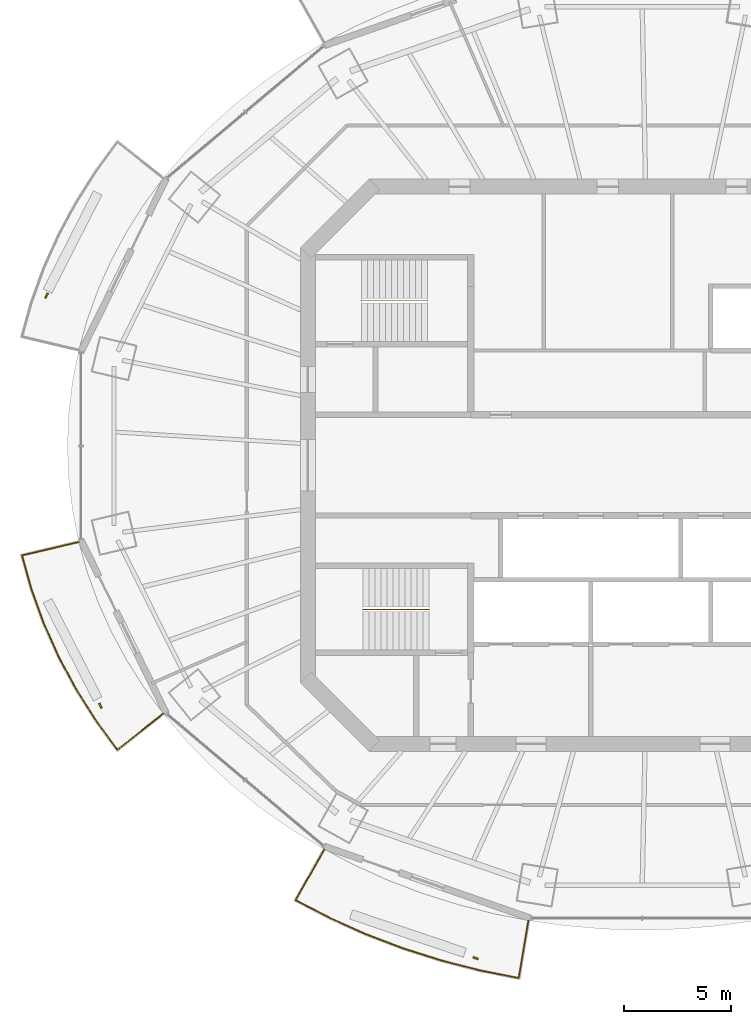
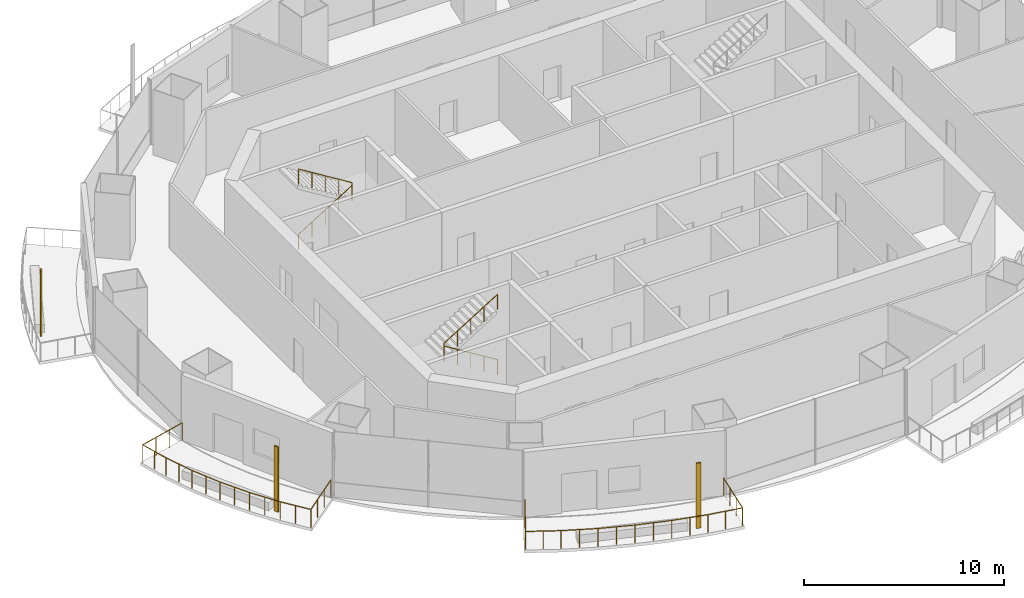
# One storey, part 12 of 16: 4 railings, 3 shading devices.
"""IFC4 building model written with IfcOpenShell, lengths in metres."""

import ifcopenshell
import ifcopenshell.guid

model = None  # the IFC model being written
_history = None  # IfcOwnerHistory: only IFC2X3 demands one
_inside = {}  # id of a spatial element -> (the spatial element, [elements in it])
_under = {}  # id of a project, library or spatial element -> (it, [spatial elements below it])
_declared = {}  # id of a project -> (the project, [libraries it declares])
_typed = {}  # id of a type object -> (the type object, [elements of that type])
_made_of = {}  # id of a material, layer set ... -> (it, [elements and type objects made of it])


def new_model(schema):
    """Start an empty IFC model of exactly this schema.

    Asked for "IFC4X3", IfcOpenShell would pick the latest addendum, in which some entities
    have other attributes; the version numbers below select the first issue.
    IFC2X3 requires an IfcOwnerHistory on every rooted entity: one is made here for all.
    """
    global model, _history
    if schema == "IFC4X3":
        model = ifcopenshell.file(schema_version=(4, 3, 0, 0))
    else:
        model = ifcopenshell.file(schema=schema)
    _inside.clear()
    _under.clear()
    _declared.clear()
    _typed.clear()
    _made_of.clear()
    _history = None
    if model.schema == "IFC2X3":
        org = make("IfcOrganization", Name="unknown")
        user = make(
            "IfcPersonAndOrganization",
            ThePerson=make("IfcPerson", FamilyName="unknown"),
            TheOrganization=org,
        )
        app = make(
            "IfcApplication",
            ApplicationDeveloper=org,
            Version="unknown",
            ApplicationFullName="unknown",
            ApplicationIdentifier="unknown",
        )
        _history = make(
            "IfcOwnerHistory",
            OwningUser=user,
            OwningApplication=app,
            ChangeAction="ADDED",
            CreationDate=0,
        )
    return model


def make(cls, **values):
    """One entity of the class cls with the attributes given. An attribute that is None is left unset."""
    return model.create_entity(
        cls, **{name: value for name, value in values.items() if value is not None}
    )


def rooted(cls, **values):
    """An entity with a GlobalId (a new one), such as an element, a storey or a relation."""
    return make(cls, GlobalId=ifcopenshell.guid.new(), OwnerHistory=_history, **values)


def si_unit(unit_type, name, prefix=None):
    """IfcSIUnit, for example si_unit("LENGTHUNIT", "METRE", prefix="MILLI")."""
    return make("IfcSIUnit", UnitType=unit_type, Prefix=prefix, Name=name)


def assignment(units):
    """IfcUnitAssignment: the units of a project."""
    return None if units is None else make("IfcUnitAssignment", Units=units)


def point(xyz):
    """IfcCartesianPoint."""
    return None if xyz is None else make("IfcCartesianPoint", Coordinates=xyz)


def direction(xyz):
    """IfcDirection."""
    return None if xyz is None else make("IfcDirection", DirectionRatios=xyz)


def frame(location, z_axis=None, x_axis=None):
    """IfcAxis2Placement3D, a coordinate frame: its origin and axes. An axis left out is left unset."""
    return make(
        "IfcAxis2Placement3D",
        Location=point(location),
        Axis=direction(z_axis),
        RefDirection=direction(x_axis),
    )


def frame_2d(location, x_axis=None):
    """IfcAxis2Placement2D, a coordinate frame in the plane: its origin and x axis."""
    return make(
        "IfcAxis2Placement2D", Location=point(location), RefDirection=direction(x_axis)
    )


def origin():
    """The frame at (0, 0, 0) with its axes left unset."""
    return frame((0.0, 0.0, 0.0))


def origin_2d():
    """The frame at (0, 0) in the plane with its x axis left unset."""
    return frame_2d((0.0, 0.0))


def place(relative_to, where):
    """IfcLocalPlacement: puts the frame where relative to a parent placement (None: the world)."""
    return make(
        "IfcLocalPlacement", PlacementRelTo=relative_to, RelativePlacement=where
    )


def context(
    kind, dimensions, precision=None, world=None, true_north=None, identifier=None
):
    """IfcGeometricRepresentationContext, for example the 3D "Model" context."""
    return make(
        "IfcGeometricRepresentationContext",
        ContextIdentifier=identifier,
        ContextType=kind,
        CoordinateSpaceDimension=dimensions,
        Precision=precision,
        WorldCoordinateSystem=world,
        TrueNorth=true_north,
    )


def subcontext(parent, identifier, kind, view, scale=None):
    """IfcGeometricRepresentationSubContext, for example "Body" below "Model"."""
    return make(
        "IfcGeometricRepresentationSubContext",
        ContextIdentifier=identifier,
        ContextType=kind,
        ParentContext=parent,
        TargetScale=scale,
        TargetView=view,
    )


def project(units=None, contexts=None):
    """IfcProject with its units and contexts."""
    return rooted(
        "IfcProject",
        Name="project",
        RepresentationContexts=contexts,
        UnitsInContext=assignment(units),
    )


def spatial(cls, under=None, at=None, **own):
    """A site, building, storey or space (cls), placed at a placement, below another one or the project."""
    s = rooted(cls, ObjectPlacement=at, **own)
    if under is not None:
        _under.setdefault(under.id(), (under, []))[1].append(s)
    return s


def profile(cls, at=None, kind="AREA", **sizes):
    """A parametric profile (cls). Its sizes go by their IFC names, for example OverallWidth=200.0."""
    return make(cls, ProfileType=kind, Position=at, **sizes)


def rectangle(**sizes):
    """IfcRectangleProfileDef."""
    return profile("IfcRectangleProfileDef", **sizes)


def circle(**sizes):
    """IfcCircleProfileDef."""
    return profile("IfcCircleProfileDef", **sizes)


def extrude(swept, where, along, depth):
    """IfcExtrudedAreaSolid: the profile swept, set in the frame where, extruded along a direction by depth."""
    return make(
        "IfcExtrudedAreaSolid",
        SweptArea=swept,
        Position=where,
        ExtrudedDirection=direction(along),
        Depth=depth,
    )


def shape(context_of_items, identifier, shape_type, items):
    """IfcShapeRepresentation: the items that make up one representation, for example the "Body"."""
    return make(
        "IfcShapeRepresentation",
        ContextOfItems=context_of_items,
        RepresentationIdentifier=identifier,
        RepresentationType=shape_type,
        Items=items,
    )


def material(Name=None, Category=None):
    """IfcMaterial."""
    return make("IfcMaterial", Name=Name, Category=Category)


def material_profile(
    of_material, cross_section, Name=None, Category=None, Priority=None
):
    """IfcMaterialProfile: a cross section and its material."""
    return make(
        "IfcMaterialProfile",
        Name=Name,
        Material=of_material,
        Profile=cross_section,
        Priority=Priority,
        Category=Category,
    )


def profile_set(profiles, Name=None, composite=None):
    """IfcMaterialProfileSet."""
    return make(
        "IfcMaterialProfileSet",
        Name=Name,
        MaterialProfiles=profiles,
        CompositeProfile=composite,
    )


def made_of(thing, what):
    """Note that an element or type object is made of a material, layer set ...; save() writes the relation."""
    if what is not None:
        _made_of.setdefault(what.id(), (what, []))[1].append(thing)
    return thing


def type_object(cls, material=None, **own):
    """A type object (cls), such as IfcWallType, which elements share."""
    return made_of(rooted(cls, **own), material)


def element(
    cls,
    number,
    at=None,
    inside=None,
    cuts=None,
    type_object=None,
    material=None,
    context=None,
    identifier="Body",
    shape_type=None,
    held_by="IfcProductDefinitionShape",
    body=None,
    shapes=None,
    **own,
):
    """One element of the class cls, such as IfcWall. Its Tag is "e" and its number.

    at: its placement. inside: the storey or other place that contains it. cuts: it is an
    opening in that element (IfcRelVoidsElement). A single representation is given by context,
    identifier, shape_type and body (its items); several are given by shapes. held_by: the class
    of the entity that holds the representations. save() writes the other relations.
    """
    e = rooted(cls, Tag="e%d" % number, ObjectPlacement=at, **own)
    if body is not None:
        shapes = [shape(context, identifier, shape_type, body)]
    if shapes is not None:
        e.Representation = make(held_by, Representations=shapes)
    if inside is not None:
        _inside.setdefault(inside.id(), (inside, []))[1].append(e)
    if cuts is not None:
        rooted(
            "IfcRelVoidsElement", RelatingBuildingElement=cuts, RelatedOpeningElement=e
        )
    if type_object is not None:
        _typed.setdefault(type_object.id(), (type_object, []))[1].append(e)
    return made_of(e, material)


def aggregate(whole, parts):
    """IfcRelAggregates: a whole, such as a stair, and the parts it consists of."""
    return rooted("IfcRelAggregates", RelatingObject=whole, RelatedObjects=parts)


def save(model, path):
    """Write the relations noted so far, then the file.

    IfcRelAggregates (storeys below a building ...), IfcRelContainedInSpatialStructure (elements
    in a storey), IfcRelDefinesByType, IfcRelAssociatesMaterial and IfcRelDeclares: one each for
    every whole, place, type object, material and project.
    """
    for whole, parts in _under.values():
        aggregate(whole, parts)
    for where, things in _inside.values():
        rooted(
            "IfcRelContainedInSpatialStructure",
            RelatedElements=things,
            RelatingStructure=where,
        )
    for kind, things in _typed.values():
        rooted("IfcRelDefinesByType", RelatedObjects=things, RelatingType=kind)
    for what, things in _made_of.values():
        rooted("IfcRelAssociatesMaterial", RelatedObjects=things, RelatingMaterial=what)
    for by, libraries in _declared.values():
        rooted("IfcRelDeclares", RelatingContext=by, RelatedDefinitions=libraries)
    model.write(path)


model = new_model("IFC4")

# Units and contexts
model_context = context("Model", 3, precision=1e-05, world=origin(), true_north=direction((0.0, 1.0)))
body_context = subcontext(model_context, "Body", "Model", "MODEL_VIEW")
ifc_project = project(units=[si_unit("LENGTHUNIT", "METRE"), si_unit("AREAUNIT", "SQUARE_METRE"), si_unit("VOLUMEUNIT", "CUBIC_METRE"), si_unit("PLANEANGLEUNIT", "RADIAN"), si_unit("MASSUNIT", "GRAM", prefix="KILO")], contexts=[model_context])

# Site, building, storey
site_placement = place(None, origin())
site = spatial("IfcSite", under=ifc_project, at=site_placement, CompositionType="ELEMENT")
building_placement = place(site_placement, origin())
building = spatial("IfcBuilding", under=site, at=building_placement, Name="Marenthal Gate Tower", CompositionType="ELEMENT")
storey_placement = place(building_placement, frame((0.0, 0.0, 355.050048828125)))
storey = spatial("IfcBuildingStorey", under=building, at=storey_placement, Name="L80", CompositionType="ELEMENT", Elevation=355.050048828125)

# Railings
ifc_material_1 = material(Name="Stainless steel", Category="steel")
railing_type_1 = type_object("IfcRailingType", Name="Balcony guard 1100", PredefinedType="GUARDRAIL", material=ifc_material_1)
railing_1_placement = place(storey_placement, frame((-22.755615234375, -11.591064453125, 0.0)))
element("IfcRailing", 1, at=railing_1_placement, inside=storey, type_object=railing_type_1, Name="Balcony guard L80 bay 9", PredefinedType="GUARDRAIL", context=body_context, shape_type="SweptSolid", body=[
    extrude(circle(Radius=0.02392578125, at=origin_2d()), frame((0.0, 0.0, 1.076171875), z_axis=(-0.78365684055, -0.621019548707, -0.014719931491), x_axis=(0.621086839778, -0.783741754314, 0.0)), (0.0, 0.0, 1.0), 2.719970703125),
    extrude(circle(Radius=0.02392578125, at=origin_2d()), frame((-2.131591796875, -1.689208984375, 1.0361328125), z_axis=(-0.59265548199, 0.805456069359, 0.0), x_axis=(-0.805456069359, -0.59265548199, 0.0)), (0.0, 0.0, 1.0), 1.67041015625),
    extrude(circle(Radius=0.02392578125, at=origin_2d()), frame((-3.12158203125, -0.34375, 1.0361328125), z_axis=(-0.535757035565, 0.84437219213, 0.0), x_axis=(-0.84437219213, -0.535757035565, 0.0)), (0.0, 0.0, 1.0), 1.738037109375),
    extrude(circle(Radius=0.02392578125, at=origin_2d()), frame((-4.052734375, 1.123779296875, 1.0361328125), z_axis=(-0.473593920811, 0.880743321389, 0.0), x_axis=(-0.880743321389, -0.473593920811, 0.0)), (0.0, 0.0, 1.0), 1.72705078125),
    extrude(circle(Radius=0.02392578125, at=origin_2d()), frame((-4.87060546875, 2.644775390625, 1.0361328125), z_axis=(-0.407879524978, 0.91303575675, 0.0), x_axis=(-0.91303575675, -0.407879524978, 0.0)), (0.0, 0.0, 1.0), 1.716552734375),
    extrude(circle(Radius=0.02392578125, at=origin_2d()), frame((-5.57080078125, 4.212158203125, 1.0361328125), z_axis=(-0.338906739097, 0.940819973318, 0.0), x_axis=(-0.940819973318, -0.338906739097, 0.0)), (0.0, 0.0, 1.0), 1.7080078125),
    extrude(circle(Radius=0.02392578125, at=origin_2d()), frame((-6.149658203125, 5.819091796875, 1.0361328125), z_axis=(-0.268568220157, 0.963260666238, 0.0), x_axis=(-0.963260666238, -0.268568220157, 0.0)), (0.0, 0.0, 1.0), 1.620849609375),
    extrude(circle(Radius=0.02392578125, at=origin_2d()), frame((-6.5849609375, 7.38037109375, 1.0361328125), z_axis=(0.973182110168, 0.229564721303, 0.014717988387), x_axis=(-0.229589589404, 0.973287532252, 0.0)), (0.0, 0.0, 1.0), 2.720458984375),
    extrude(circle(Radius=0.02099609375, at=origin_2d()), origin(), (0.0, 0.0, 1.0), 1.052001953125),
    extrude(circle(Radius=0.02099609375, at=origin_2d()), frame((-0.71044921875, -0.56298828125, -0.013427734375)), (0.0, 0.0, 1.0), 1.052001953125),
    extrude(circle(Radius=0.02099609375, at=origin_2d()), frame((-1.421142578125, -1.126220703125, -0.026611328125)), (0.0, 0.0, 1.0), 1.052001953125),
    extrude(circle(Radius=0.02099609375, at=origin_2d()), frame((-2.131591796875, -1.689208984375, -0.0400390625)), (0.0, 0.0, 1.0), 1.052001953125),
    extrude(circle(Radius=0.02099609375, at=origin_2d()), frame((-2.62646484375, -1.0166015625, -0.0400390625)), (0.0, 0.0, 1.0), 1.052001953125),
    extrude(circle(Radius=0.02099609375, at=origin_2d()), frame((-3.12158203125, -0.34375, -0.0400390625)), (0.0, 0.0, 1.0), 1.052001953125),
    extrude(circle(Radius=0.02099609375, at=origin_2d()), frame((-3.587158203125, 0.39013671875, -0.0400390625)), (0.0, 0.0, 1.0), 1.052001953125),
    extrude(circle(Radius=0.02099609375, at=origin_2d()), frame((-4.052734375, 1.123779296875, -0.0400390625)), (0.0, 0.0, 1.0), 1.052001953125),
    extrude(circle(Radius=0.02099609375, at=origin_2d()), frame((-4.461669921875, 1.88427734375, -0.0400390625)), (0.0, 0.0, 1.0), 1.052001953125),
    extrude(circle(Radius=0.02099609375, at=origin_2d()), frame((-4.87060546875, 2.644775390625, -0.0400390625)), (0.0, 0.0, 1.0), 1.052001953125),
    extrude(circle(Radius=0.02099609375, at=origin_2d()), frame((-5.220703125, 3.428466796875, -0.0400390625)), (0.0, 0.0, 1.0), 1.052001953125),
    extrude(circle(Radius=0.02099609375, at=origin_2d()), frame((-5.57080078125, 4.212158203125, -0.0400390625)), (0.0, 0.0, 1.0), 1.052001953125),
    extrude(circle(Radius=0.02099609375, at=origin_2d()), frame((-5.8603515625, 5.015625, -0.0400390625)), (0.0, 0.0, 1.0), 1.052001953125),
    extrude(circle(Radius=0.02099609375, at=origin_2d()), frame((-6.149658203125, 5.819091796875, -0.0400390625)), (0.0, 0.0, 1.0), 1.052001953125),
    extrude(circle(Radius=0.02099609375, at=origin_2d()), frame((-6.3671875, 6.599609375, -0.0400390625)), (0.0, 0.0, 1.0), 1.052001953125),
    extrude(circle(Radius=0.02099609375, at=origin_2d()), frame((-6.5849609375, 7.38037109375, -0.0400390625)), (0.0, 0.0, 1.0), 1.052001953125),
    extrude(circle(Radius=0.02099609375, at=origin_2d()), frame((-5.702392578125, 7.588623046875, -0.026611328125)), (0.0, 0.0, 1.0), 1.052001953125),
    extrude(circle(Radius=0.02099609375, at=origin_2d()), frame((-4.820068359375, 7.796630859375, -0.013427734375)), (0.0, 0.0, 1.0), 1.052001953125),
    extrude(circle(Radius=0.02099609375, at=origin_2d()), frame((-3.9375, 8.0048828125, 0.0)), (0.0, 0.0, 1.0), 1.052001953125),
])
railing_2_placement = place(storey_placement, frame((-5.712646484375, -21.24853515625, 0.0)))
element("IfcRailing", 2, at=railing_2_placement, inside=storey, type_object=railing_type_1, Name="Balcony guard L80 bay 11", PredefinedType="GUARDRAIL", context=body_context, shape_type="SweptSolid", body=[
    extrude(circle(Radius=0.02392578125, at=origin_2d()), frame((0.0, 0.0, 1.076171875), z_axis=(-0.165312526275, -0.986131399953, -0.014718379104), x_axis=(0.98623823047, -0.165330435068, 0.0)), (0.0, 0.0, 1.0), 2.720458984375),
    extrude(circle(Radius=0.02392578125, at=origin_2d()), frame((-0.44970703125, -2.6826171875, 1.0361328125), z_axis=(-0.981028266678, 0.19386474661, 0.0), x_axis=(-0.19386474661, -0.981028266678, 0.0)), (0.0, 0.0, 1.0), 1.814697265625),
    extrude(circle(Radius=0.02392578125, at=origin_2d()), frame((-2.22998046875, -2.330810546875, 1.0361328125), z_axis=(-0.968851065423, 0.247644125772, 0.0), x_axis=(-0.247644125772, -0.968851065423, 0.0)), (0.0, 0.0, 1.0), 1.887939453125),
    extrude(circle(Radius=0.02392578125, at=origin_2d()), frame((-4.05908203125, -1.86328125, 1.0361328125), z_axis=(-0.953244331297, 0.302200669837, 0.0), x_axis=(-0.302200669837, -0.953244331297, 0.0)), (0.0, 0.0, 1.0), 1.879150390625),
    extrude(circle(Radius=0.02392578125, at=origin_2d()), frame((-5.850341796875, -1.29541015625, 1.0361328125), z_axis=(-0.934241329818, 0.35664146935, 0.0), x_axis=(-0.35664146935, -0.934241329818, 0.0)), (0.0, 0.0, 1.0), 1.86962890625),
    extrude(circle(Radius=0.02392578125, at=origin_2d()), frame((-7.596923828125, -0.628662109375, 1.0361328125), z_axis=(-0.911823143893, 0.410583187992, 0.0), x_axis=(-0.410583187992, -0.911823143893, 0.0)), (0.0, 0.0, 1.0), 1.858154296875),
    extrude(circle(Radius=0.02392578125, at=origin_2d()), frame((-9.291259765625, 0.13427734375, 1.0361328125), z_axis=(-0.886466510694, 0.462792745642, 0.0), x_axis=(-0.462792745642, -0.886466510694, 0.0)), (0.0, 0.0, 1.0), 1.76611328125),
    extrude(circle(Radius=0.02392578125, at=origin_2d()), frame((-10.85693359375, 0.95166015625, 1.0361328125), z_axis=(0.490779039991, 0.871159722412, 0.014719781009), x_axis=(-0.871254115691, 0.490832217659, 0.0)), (0.0, 0.0, 1.0), 2.719970703125),
    extrude(circle(Radius=0.02099609375, at=origin_2d()), origin(), (0.0, 0.0, 1.0), 1.052001953125),
    extrude(circle(Radius=0.02099609375, at=origin_2d()), frame((-0.14990234375, -0.894287109375, -0.013427734375)), (0.0, 0.0, 1.0), 1.052001953125),
    extrude(circle(Radius=0.02099609375, at=origin_2d()), frame((-0.2998046875, -1.788330078125, -0.026611328125)), (0.0, 0.0, 1.0), 1.052001953125),
    extrude(circle(Radius=0.02099609375, at=origin_2d()), frame((-0.44970703125, -2.6826171875, -0.0400390625)), (0.0, 0.0, 1.0), 1.052001953125),
    extrude(circle(Radius=0.02099609375, at=origin_2d()), frame((-1.33984375, -2.5068359375, -0.0400390625)), (0.0, 0.0, 1.0), 1.052001953125),
    extrude(circle(Radius=0.02099609375, at=origin_2d()), frame((-2.22998046875, -2.330810546875, -0.0400390625)), (0.0, 0.0, 1.0), 1.052001953125),
    extrude(circle(Radius=0.02099609375, at=origin_2d()), frame((-3.14453125, -2.09716796875, -0.0400390625)), (0.0, 0.0, 1.0), 1.052001953125),
    extrude(circle(Radius=0.02099609375, at=origin_2d()), frame((-4.05908203125, -1.86328125, -0.0400390625)), (0.0, 0.0, 1.0), 1.052001953125),
    extrude(circle(Radius=0.02099609375, at=origin_2d()), frame((-4.95458984375, -1.579345703125, -0.0400390625)), (0.0, 0.0, 1.0), 1.052001953125),
    extrude(circle(Radius=0.02099609375, at=origin_2d()), frame((-5.850341796875, -1.29541015625, -0.0400390625)), (0.0, 0.0, 1.0), 1.052001953125),
    extrude(circle(Radius=0.02099609375, at=origin_2d()), frame((-6.7236328125, -0.9619140625, -0.0400390625)), (0.0, 0.0, 1.0), 1.052001953125),
    extrude(circle(Radius=0.02099609375, at=origin_2d()), frame((-7.596923828125, -0.628662109375, -0.0400390625)), (0.0, 0.0, 1.0), 1.052001953125),
    extrude(circle(Radius=0.02099609375, at=origin_2d()), frame((-8.444091796875, -0.2470703125, -0.0400390625)), (0.0, 0.0, 1.0), 1.052001953125),
    extrude(circle(Radius=0.02099609375, at=origin_2d()), frame((-9.291259765625, 0.13427734375, -0.0400390625)), (0.0, 0.0, 1.0), 1.052001953125),
    extrude(circle(Radius=0.02099609375, at=origin_2d()), frame((-10.07421875, 0.54296875, -0.0400390625)), (0.0, 0.0, 1.0), 1.052001953125),
    extrude(circle(Radius=0.02099609375, at=origin_2d()), frame((-10.85693359375, 0.95166015625, -0.0400390625)), (0.0, 0.0, 1.0), 1.052001953125),
    extrude(circle(Radius=0.02099609375, at=origin_2d()), frame((-10.411865234375, 1.741455078125, -0.026611328125)), (0.0, 0.0, 1.0), 1.052001953125),
    extrude(circle(Radius=0.02099609375, at=origin_2d()), frame((-9.967041015625, 2.531494140625, -0.013427734375)), (0.0, 0.0, 1.0), 1.052001953125),
    extrude(circle(Radius=0.02099609375, at=origin_2d()), frame((-9.52197265625, 3.3212890625, 0.0)), (0.0, 0.0, 1.0), 1.052001953125),
])
ifc_material_2 = material(Name="Stainless steel", Category="steel")
railing_type_2 = type_object("IfcRailingType", Name="Stair handrail", PredefinedType="HANDRAIL", material=ifc_material_2)
railing_3_placement = place(storey_placement, frame((-13.5, 7.675048828125, 0.1728515625)))
element("IfcRailing", 3, at=railing_3_placement, inside=storey, type_object=railing_type_2, Name="Handrail ST1", PredefinedType="HANDRAIL", context=body_context, shape_type="SweptSolid", body=[
    extrude(circle(Radius=0.0224609375, at=origin_2d()), frame((0.0, 0.0, 0.927490234375), z_axis=(0.850835241893, 0.0, 0.525432575268), x_axis=(0.0, 1.0, 0.0)), (0.0, 0.0, 1.0), 3.6201171875),
    extrude(circle(Radius=0.0224609375, at=origin_2d()), frame((3.080078125, 0.0, 2.82958984375), z_axis=(0.0, 0.0, 1.0), x_axis=(1.0, 0.0, 0.0)), (0.0, 0.0, 1.0), 0.1728515625),
    extrude(circle(Radius=0.0224609375, at=origin_2d()), frame((3.080078125, 0.0, 3.00244140625), z_axis=(-0.850835241893, 0.0, 0.525432575268), x_axis=(0.0, -1.0, 0.0)), (0.0, 0.0, 1.0), 3.6201171875),
    extrude(circle(Radius=0.02001953125, at=origin_2d()), origin(), (0.0, 0.0, 1.0), 0.905029296875),
    extrude(circle(Radius=0.02001953125, at=origin_2d()), frame((0.77001953125, 0.0, 0.4755859375)), (0.0, 0.0, 1.0), 0.905029296875),
    extrude(circle(Radius=0.02001953125, at=origin_2d()), frame((1.5400390625, 0.0, 0.951171875)), (0.0, 0.0, 1.0), 0.905029296875),
    extrude(circle(Radius=0.02001953125, at=origin_2d()), frame((2.31005859375, 0.0, 1.426513671875)), (0.0, 0.0, 1.0), 0.905029296875),
    extrude(circle(Radius=0.02001953125, at=origin_2d()), frame((3.080078125, 0.0, 1.902099609375)), (0.0, 0.0, 1.0), 0.905029296875),
    extrude(circle(Radius=0.02001953125, at=origin_2d()), frame((3.080078125, 0.0, 2.074951171875)), (0.0, 0.0, 1.0), 0.905029296875),
    extrude(circle(Radius=0.02001953125, at=origin_2d()), frame((2.31005859375, 0.0, 2.550537109375)), (0.0, 0.0, 1.0), 0.905029296875),
    extrude(circle(Radius=0.02001953125, at=origin_2d()), frame((1.5400390625, 0.0, 3.02587890625)), (0.0, 0.0, 1.0), 0.905029296875),
    extrude(circle(Radius=0.02001953125, at=origin_2d()), frame((0.77001953125, 0.0, 3.50146484375)), (0.0, 0.0, 1.0), 0.905029296875),
    extrude(circle(Radius=0.02001953125, at=origin_2d()), frame((0.0, 0.0, 3.97705078125)), (0.0, 0.0, 1.0), 0.905029296875),
])
railing_4_placement = place(storey_placement, frame((-10.35009765625, -6.72509765625, 0.1728515625)))
element("IfcRailing", 4, at=railing_4_placement, inside=storey, type_object=railing_type_2, Name="Handrail ST2", PredefinedType="HANDRAIL", context=body_context, shape_type="SweptSolid", body=[
    extrude(circle(Radius=0.0224609375, at=origin_2d()), frame((0.0, 0.0, 0.927490234375), z_axis=(-0.850816621229, 0.0, 0.525462726595), x_axis=(0.0, -1.0, 0.0)), (0.0, 0.0, 1.0), 3.619873046875),
    extrude(circle(Radius=0.0224609375, at=origin_2d()), frame((-3.079833984375, 0.0, 2.82958984375), z_axis=(0.0, 0.0, 1.0), x_axis=(1.0, 0.0, 0.0)), (0.0, 0.0, 1.0), 0.1728515625),
    extrude(circle(Radius=0.0224609375, at=origin_2d()), frame((-3.079833984375, 0.0, 3.00244140625), z_axis=(0.850816621229, 0.0, 0.525462726595), x_axis=(0.0, 1.0, 0.0)), (0.0, 0.0, 1.0), 3.619873046875),
    extrude(circle(Radius=0.02001953125, at=origin_2d()), origin(), (0.0, 0.0, 1.0), 0.905029296875),
    extrude(circle(Radius=0.02001953125, at=origin_2d()), frame((-0.77001953125, 0.0, 0.4755859375)), (0.0, 0.0, 1.0), 0.905029296875),
    extrude(circle(Radius=0.02001953125, at=origin_2d()), frame((-1.5400390625, 0.0, 0.951171875)), (0.0, 0.0, 1.0), 0.905029296875),
    extrude(circle(Radius=0.02001953125, at=origin_2d()), frame((-2.309814453125, 0.0, 1.426513671875)), (0.0, 0.0, 1.0), 0.905029296875),
    extrude(circle(Radius=0.02001953125, at=origin_2d()), frame((-3.079833984375, 0.0, 1.902099609375)), (0.0, 0.0, 1.0), 0.905029296875),
    extrude(circle(Radius=0.02001953125, at=origin_2d()), frame((-3.079833984375, 0.0, 2.074951171875)), (0.0, 0.0, 1.0), 0.905029296875),
    extrude(circle(Radius=0.02001953125, at=origin_2d()), frame((-2.309814453125, 0.0, 2.550537109375)), (0.0, 0.0, 1.0), 0.905029296875),
    extrude(circle(Radius=0.02001953125, at=origin_2d()), frame((-1.5400390625, 0.0, 3.02587890625)), (0.0, 0.0, 1.0), 0.905029296875),
    extrude(circle(Radius=0.02001953125, at=origin_2d()), frame((-0.77001953125, 0.0, 3.50146484375)), (0.0, 0.0, 1.0), 0.905029296875),
    extrude(circle(Radius=0.02001953125, at=origin_2d()), frame((0.0, 0.0, 3.97705078125)), (0.0, 0.0, 1.0), 0.905029296875),
])

# Shading devices
ifc_material_3 = material(Name="Terracotta", Category="masonry")
ifc_material_profile = material_profile(ifc_material_3, rectangle(XDim=0.25, YDim=0.080078125, at=origin_2d()), Name="Terracotta baguette 250x80")
ifc_profile_set = profile_set([ifc_material_profile], Name="Terracotta")
shading_device_type = type_object("IfcShadingDeviceType", Name="Terracotta BAGUETTE SCREEN 250x80", PredefinedType="USERDEFINED", material=ifc_profile_set)
for number, where, z_axis, x_axis, name in (
    (5, (-28.19580078125, 7.9150390625, -0.0400390625), (0.0, 0.0, 1.0), (-0.441181376026, -0.897417959174, 0.0), "Terracotta BAGUETTE L80 bay 7R"),
    (6, (-25.682861328125, -11.226318359375, -0.0400390625), (0.0, 0.0, 1.0), (0.441181376026, -0.897417959174, 0.0), "Terracotta BAGUETTE L80 bay 9R"),
    (7, (-8.171875, -23.0029296875, -0.0400390625), (0.0, 0.0, 1.0), (0.944152186109, -0.32950971073, 0.0), "Terracotta BAGUETTE L80 bay 11R"),
):
    element("IfcShadingDevice", number, at=place(storey_placement, frame(where, z_axis=z_axis, x_axis=x_axis)), inside=storey, type_object=shading_device_type, Name=name, ObjectType="BAGUETTE SCREEN", PredefinedType="USERDEFINED", context=body_context, shape_type="SweptSolid", body=[
        extrude(rectangle(XDim=0.25, YDim=0.080078125, at=origin_2d()), origin(), (0.0, 0.0, 1.0), 3.969970703125),
    ])

save(model, "model.ifc")
